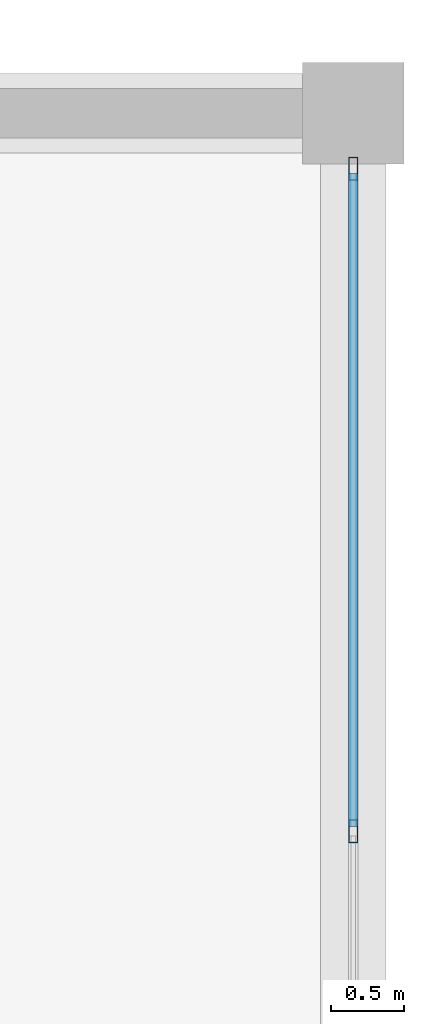
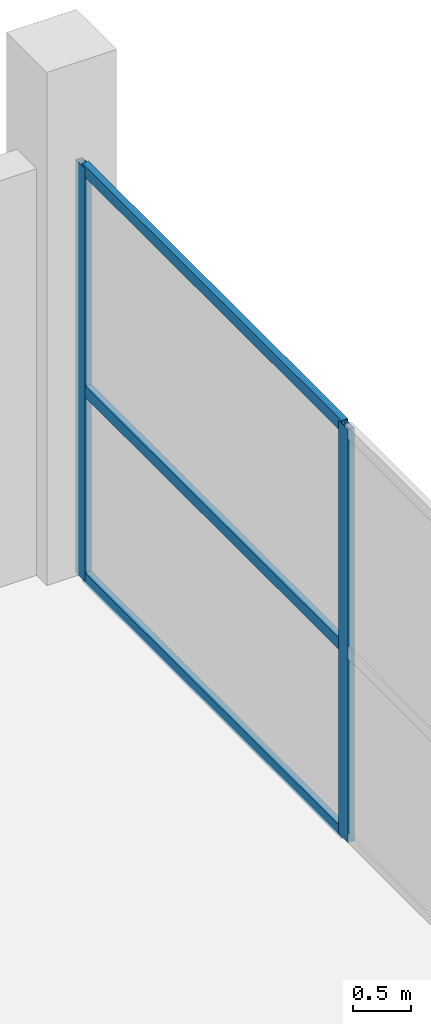
# One storey, part 38 of 72: 5 members, 1 element without a shape of its own.
"""IFC4 building model written with IfcOpenShell, lengths in metres."""

from ifc_helpers import new_model, si_unit, direction, frame, origin, origin_2d, place, context, subcontext, project, spatial, hollow_rectangle, extrude, material, layer, layer_set, material_profile, profile_set, type_object, element, aggregate, save


model = new_model("IFC4")

# Units and contexts
model_context = context("Model", 3, precision=1e-05, world=origin(), true_north=direction((0.0, 1.0)))
body_context = subcontext(model_context, "Body", "Model", "MODEL_VIEW")
ifc_project = project(units=[si_unit("LENGTHUNIT", "METRE"), si_unit("AREAUNIT", "SQUARE_METRE"), si_unit("VOLUMEUNIT", "CUBIC_METRE"), si_unit("PLANEANGLEUNIT", "RADIAN"), si_unit("MASSUNIT", "GRAM", prefix="KILO")], contexts=[model_context])

# Site, building, storey
site_placement = place(None, origin())
site = spatial("IfcSite", under=ifc_project, at=site_placement, CompositionType="ELEMENT")
building_placement = place(site_placement, origin())
building = spatial("IfcBuilding", under=site, at=building_placement, Name="Sillaruma Civic Art Gallery", CompositionType="ELEMENT")
storey_placement = place(building_placement, frame((0.0, 0.0, 10.8798828125)))
storey = spatial("IfcBuildingStorey", under=building, at=storey_placement, Name="L02", CompositionType="ELEMENT", Elevation=10.8798828125)

# Curtain wall, members
ifc_material = material(Name="Thermally Broken Extruded Aluminium 6063-T6", Category="aluminium")
ifc_layer = layer(ifc_material, 0.159912109375, Name="Thermally Broken Extruded Aluminium 6063-T6")
ifc_layer_set = layer_set([ifc_layer], Name="Thermally Broken Extruded Aluminium 6063-T6")
curtain_wall_type = type_object("IfcCurtainWallType", Name="CW-UNI-07", PredefinedType="NOTDEFINED", material=ifc_layer_set)
curtain_wall_placement = place(storey_placement, origin())
curtain_wall = element("IfcCurtainWall", 1, at=curtain_wall_placement, inside=storey, type_object=curtain_wall_type, Name="Unitised Curtain Wall CW-07 (CW-L02-ESTR-4)", PredefinedType="NOTDEFINED")
ifc_material_profile_1 = material_profile(ifc_material, hollow_rectangle(XDim=0.06494140625, YDim=0.159912109375, WallThickness=0.00390625, at=origin_2d()), Name="CWM65x160")
ifc_profile_set_1 = profile_set([ifc_material_profile_1], Name="Thermally Broken Extruded Aluminium 6063-T6")
member_type_1 = type_object("IfcMemberType", Name="MEM-MUL-CWM65x160", PredefinedType="MULLION", material=ifc_profile_set_1)
member_1_placement = place(storey_placement, frame((176.39990234375, 34.64990234375, 0.0), z_axis=(0.0, 0.0, 1.0), x_axis=(-1.0, 0.0, 0.0)))
member_1 = element("IfcMember", 2, at=member_1_placement, type_object=member_type_1, Name="CW-07 mullion 2", PredefinedType="MULLION", context=body_context, shape_type="SweptSolid", body=[
    extrude(hollow_rectangle(XDim=0.06494140625, YDim=0.159912109375, WallThickness=0.00390625, at=origin_2d()), origin(), (0.0, 0.0, 1.0), 4.380126953125),
])
member_2_placement = place(storey_placement, frame((176.39990234375, 39.217529296875, 0.0), z_axis=(0.0, 0.0, 1.0), x_axis=(-1.0, 0.0, 0.0)))
member_2 = element("IfcMember", 3, at=member_2_placement, type_object=member_type_1, Name="CW-07 mullion 3", PredefinedType="MULLION", context=body_context, shape_type="SweptSolid", body=[
    extrude(hollow_rectangle(XDim=0.06494140625, YDim=0.159912109375, WallThickness=0.00390625, at=origin_2d()), origin(), (0.0, 0.0, 1.0), 4.380126953125),
])
ifc_material_profile_2 = material_profile(ifc_material, hollow_rectangle(XDim=0.06494140625, YDim=0.1201171875, WallThickness=0.00341796875, at=origin_2d()), Name="CWT65x120")
ifc_profile_set_2 = profile_set([ifc_material_profile_2], Name="Thermally Broken Extruded Aluminium 6063-T6")
member_type_2 = type_object("IfcMemberType", Name="MEM-TRN-CWT65x120", PredefinedType="USERDEFINED", material=ifc_profile_set_2)
member_3_placement = place(storey_placement, frame((176.39990234375, 34.6826171875, 0.03271484375), z_axis=(0.0, 1.0, 0.0), x_axis=(-1.0, 0.0, 0.0)))
member_3 = element("IfcMember", 4, at=member_3_placement, type_object=member_type_2, Name="CW-07 transom 2.1", ObjectType="TRANSOM", PredefinedType="USERDEFINED", context=body_context, shape_type="SweptSolid", body=[
    extrude(hollow_rectangle(XDim=0.06494140625, YDim=0.1201171875, WallThickness=0.00341796875, at=origin_2d()), origin(), (0.0, 0.0, 1.0), 4.50244140625),
])
member_4_placement = place(storey_placement, frame((176.39990234375, 34.6826171875, 2.014892578125), z_axis=(0.0, 1.0, 0.0), x_axis=(-1.0, 0.0, 0.0)))
member_4 = element("IfcMember", 5, at=member_4_placement, type_object=member_type_2, Name="CW-07 transom 2.2", ObjectType="TRANSOM", PredefinedType="USERDEFINED", context=body_context, shape_type="SweptSolid", body=[
    extrude(hollow_rectangle(XDim=0.06494140625, YDim=0.1201171875, WallThickness=0.00341796875, at=origin_2d()), origin(), (0.0, 0.0, 1.0), 4.50244140625),
])
member_5_placement = place(storey_placement, frame((176.39990234375, 34.6826171875, 4.34765625), z_axis=(0.0, 1.0, 0.0), x_axis=(-1.0, 0.0, 0.0)))
member_5 = element("IfcMember", 6, at=member_5_placement, type_object=member_type_2, Name="CW-07 transom 2.3", ObjectType="TRANSOM", PredefinedType="USERDEFINED", context=body_context, shape_type="SweptSolid", body=[
    extrude(hollow_rectangle(XDim=0.06494140625, YDim=0.1201171875, WallThickness=0.00341796875, at=origin_2d()), origin(), (0.0, 0.0, 1.0), 4.50244140625),
])
aggregate(curtain_wall, [member_1, member_2, member_3, member_4, member_5])

save(model, "model.ifc")
